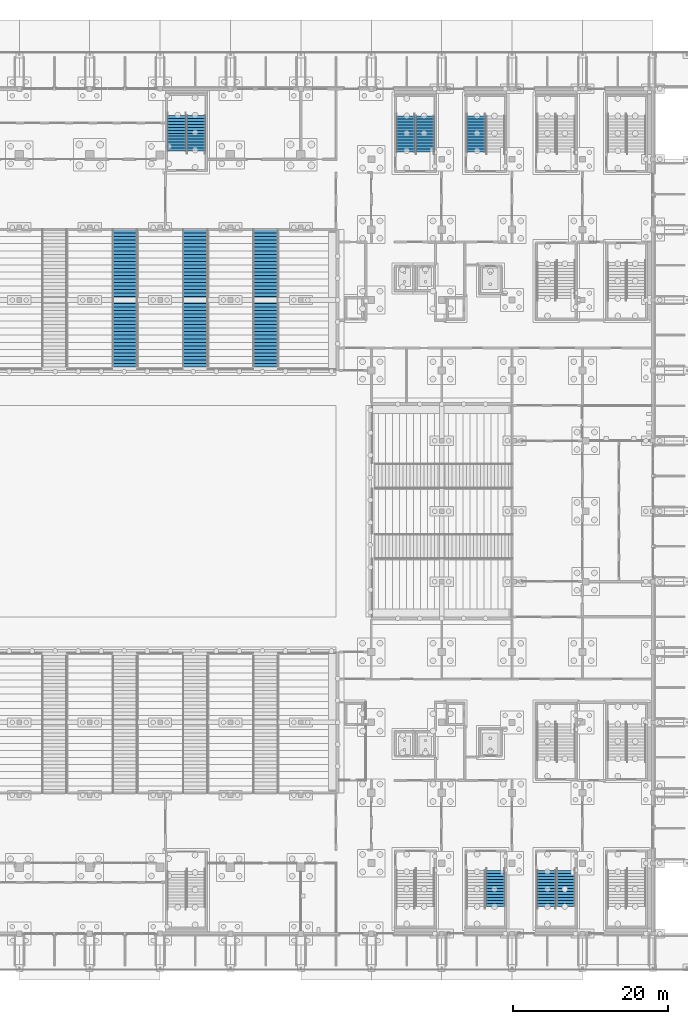
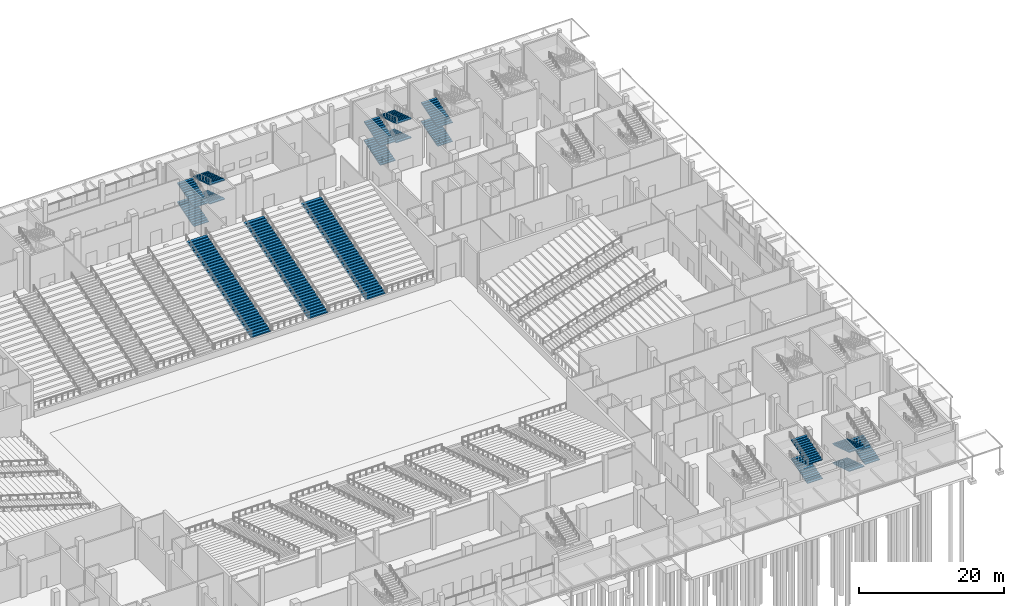
# One storey, part 92 of 129: 18 stair flights, 8 elements without a shape of their own.
"""IFC4 building model written with IfcOpenShell, lengths in metres."""

from ifc_helpers import new_model, si_unit, direction, frame, origin, place, context, subcontext, project, spatial, polyline, outline, extrude, material, type_object, element, aggregate, save


model = new_model("IFC4")

# Units and contexts
model_context = context("Model", 3, precision=1e-05, world=origin(), true_north=direction((0.0, 1.0)))
body_context = subcontext(model_context, "Body", "Model", "MODEL_VIEW")
ifc_project = project(units=[si_unit("LENGTHUNIT", "METRE"), si_unit("AREAUNIT", "SQUARE_METRE"), si_unit("VOLUMEUNIT", "CUBIC_METRE"), si_unit("PLANEANGLEUNIT", "RADIAN"), si_unit("MASSUNIT", "GRAM", prefix="KILO")], contexts=[model_context])

# Site, building, storey
site_placement = place(None, origin())
site = spatial("IfcSite", under=ifc_project, at=site_placement, CompositionType="ELEMENT")
building_placement = place(site_placement, origin())
building = spatial("IfcBuilding", under=site, at=building_placement, Name="Shirokan Park Arena", CompositionType="ELEMENT")
storey_placement = place(building_placement, origin())
storey = spatial("IfcBuildingStorey", under=building, at=storey_placement, Name="L00", CompositionType="ELEMENT", Elevation=0.0)

# Stair, stair flights
ifc_material = material(Name="Concrete C30 precast", Category="concrete")
stair_type_1 = type_object("IfcStairType", Name="Stair 52 risers 122 x 385 2400 wide", PredefinedType="DOUBLE_RETURN_STAIR", material=ifc_material)
stair_1_placement = place(storey_placement, origin())
stair_1 = element("IfcStair", 1, at=stair_1_placement, inside=storey, type_object=stair_type_1, Name="Exit Stair 2.B L00 to L01", PredefinedType="DOUBLE_RETURN_STAIR")
stair_flight_type_1 = type_object("IfcStairFlightType", Name="Stair flight 13 risers 122 x 385 2400 wide", PredefinedType="STRAIGHT", material=ifc_material)
stair_flight_1_placement = place(storey_placement, frame((131.85009765625, 8.14990234375, 0.0), z_axis=(0.0, 0.0, 1.0), x_axis=(0.0, -1.0, 0.0)))
stair_flight_1 = element("IfcStairFlight", 2, at=stair_flight_1_placement, type_object=stair_flight_type_1, Name="ST05.1 flight 1", NumberOfRisers=13, NumberOfTreads=12, PredefinedType="STRAIGHT", RiserHeight=0.1225, TreadLength=0.385, context=body_context, shape_type="SweptSolid", body=[
    extrude(outline(polyline([(0.0, 0.0), (0.0, 0.12255859375), (0.385009765625, 0.12255859375), (0.385009765625, 0.2451171875), (0.77001953125, 0.2451171875), (0.77001953125, 0.367431640625), (1.155029296875, 0.367431640625), (1.155029296875, 0.489990234375), (1.5400390625, 0.489990234375), (1.5400390625, 0.612548828125), (1.925048828125, 0.612548828125), (1.925048828125, 0.735107421875), (2.31005859375, 0.735107421875), (2.31005859375, 0.857421875), (2.695068359375, 0.857421875), (2.695068359375, 0.97998046875), (3.080078125, 0.97998046875), (3.080078125, 1.1025390625), (3.465087890625, 1.1025390625), (3.465087890625, 1.22509765625), (3.85009765625, 1.22509765625), (3.85009765625, 1.347412109375), (4.235107421875, 1.347412109375), (4.235107421875, 1.469970703125), (4.6201171875, 1.469970703125), (4.6201171875, 1.592529296875), (4.6201171875, 1.312744140625), (0.494384765625, 0.0), (0.0, 0.0)])), frame((0.0, 1.199951171875, 0.0), z_axis=(0.0, -1.0, 0.0), x_axis=(1.0, 0.0, 0.0)), (0.0, 0.0, 1.0), 2.39990234375),
])
stair_flight_2_placement = place(storey_placement, frame((134.35009765625, 3.530029296875, 1.592529296875), z_axis=(0.0, 0.0, 1.0), x_axis=(0.0, 1.0, 0.0)))
stair_flight_2 = element("IfcStairFlight", 3, at=stair_flight_2_placement, type_object=stair_flight_type_1, Name="ST05.1 flight 2", NumberOfRisers=13, NumberOfTreads=12, PredefinedType="STRAIGHT", RiserHeight=0.1225, TreadLength=0.385, context=body_context, shape_type="SweptSolid", body=[
    extrude(outline(polyline([(0.0, 0.0), (0.0, 0.12255859375), (0.385009765625, 0.12255859375), (0.385009765625, 0.2451171875), (0.77001953125, 0.2451171875), (0.77001953125, 0.367431640625), (1.155029296875, 0.367431640625), (1.155029296875, 0.489990234375), (1.5400390625, 0.489990234375), (1.5400390625, 0.612548828125), (1.925048828125, 0.612548828125), (1.925048828125, 0.735107421875), (2.31005859375, 0.735107421875), (2.31005859375, 0.857421875), (2.695068359375, 0.857421875), (2.695068359375, 0.97998046875), (3.080078125, 0.97998046875), (3.080078125, 1.1025390625), (3.465087890625, 1.1025390625), (3.465087890625, 1.22509765625), (3.85009765625, 1.22509765625), (3.85009765625, 1.347412109375), (4.235107421875, 1.347412109375), (4.235107421875, 1.469970703125), (4.6201171875, 1.469970703125), (4.6201171875, 1.592529296875), (4.6201171875, 1.312744140625), (0.494384765625, 0.0), (0.0, 0.0)])), frame((0.0, 1.199951171875, 0.0), z_axis=(0.0, -1.0, 0.0), x_axis=(1.0, 0.0, 0.0)), (0.0, 0.0, 1.0), 2.39990234375),
])
stair_flight_3_placement = place(storey_placement, frame((131.85009765625, 8.14990234375, 3.18505859375), z_axis=(0.0, 0.0, 1.0), x_axis=(0.0, -1.0, 0.0)))
stair_flight_3 = element("IfcStairFlight", 4, at=stair_flight_3_placement, type_object=stair_flight_type_1, Name="ST05.1 flight 3", NumberOfRisers=13, NumberOfTreads=12, PredefinedType="STRAIGHT", RiserHeight=0.1225, TreadLength=0.385, context=body_context, shape_type="SweptSolid", body=[
    extrude(outline(polyline([(0.0, 0.0), (0.0, 0.12255859375), (0.385009765625, 0.12255859375), (0.385009765625, 0.2451171875), (0.77001953125, 0.2451171875), (0.77001953125, 0.367431640625), (1.155029296875, 0.367431640625), (1.155029296875, 0.489990234375), (1.5400390625, 0.489990234375), (1.5400390625, 0.612548828125), (1.925048828125, 0.612548828125), (1.925048828125, 0.735107421875), (2.31005859375, 0.735107421875), (2.31005859375, 0.857421875), (2.695068359375, 0.857421875), (2.695068359375, 0.97998046875), (3.080078125, 0.97998046875), (3.080078125, 1.1025390625), (3.465087890625, 1.1025390625), (3.465087890625, 1.22509765625), (3.85009765625, 1.22509765625), (3.85009765625, 1.347412109375), (4.235107421875, 1.347412109375), (4.235107421875, 1.469970703125), (4.6201171875, 1.469970703125), (4.6201171875, 1.592529296875), (4.6201171875, 1.312744140625), (0.494384765625, 0.0), (0.0, 0.0)])), frame((0.0, 1.199951171875, 0.0), z_axis=(0.0, -1.0, 0.0), x_axis=(1.0, 0.0, 0.0)), (0.0, 0.0, 1.0), 2.39990234375),
])
aggregate(stair_1, [stair_flight_1, stair_flight_2, stair_flight_3])

stair_2_placement = place(storey_placement, origin())
stair_2 = element("IfcStair", 5, at=stair_2_placement, inside=storey, type_object=stair_type_1, Name="Exit Stair 2.C L00 to L01", PredefinedType="DOUBLE_RETURN_STAIR")
stair_flight_4_placement = place(storey_placement, frame((125.25, 3.530029296875, 1.592529296875), z_axis=(0.0, 0.0, 1.0), x_axis=(0.0, 1.0, 0.0)))
stair_flight_4 = element("IfcStairFlight", 6, at=stair_flight_4_placement, type_object=stair_flight_type_1, Name="ST06.1 flight 2", NumberOfRisers=13, NumberOfTreads=12, PredefinedType="STRAIGHT", RiserHeight=0.1225, TreadLength=0.385, context=body_context, shape_type="SweptSolid", body=[
    extrude(outline(polyline([(0.0, 0.0), (0.0, 0.12255859375), (0.385009765625, 0.12255859375), (0.385009765625, 0.2451171875), (0.77001953125, 0.2451171875), (0.77001953125, 0.367431640625), (1.155029296875, 0.367431640625), (1.155029296875, 0.489990234375), (1.5400390625, 0.489990234375), (1.5400390625, 0.612548828125), (1.925048828125, 0.612548828125), (1.925048828125, 0.735107421875), (2.31005859375, 0.735107421875), (2.31005859375, 0.857421875), (2.695068359375, 0.857421875), (2.695068359375, 0.97998046875), (3.080078125, 0.97998046875), (3.080078125, 1.1025390625), (3.465087890625, 1.1025390625), (3.465087890625, 1.22509765625), (3.85009765625, 1.22509765625), (3.85009765625, 1.347412109375), (4.235107421875, 1.347412109375), (4.235107421875, 1.469970703125), (4.6201171875, 1.469970703125), (4.6201171875, 1.592529296875), (4.6201171875, 1.312744140625), (0.494384765625, 0.0), (0.0, 0.0)])), frame((0.0, 1.199951171875, 0.0), z_axis=(0.0, -1.0, 0.0), x_axis=(1.0, 0.0, 0.0)), (0.0, 0.0, 1.0), 2.39990234375),
])
stair_flight_5_placement = place(storey_placement, frame((125.25, 3.530029296875, 4.777587890625), z_axis=(0.0, 0.0, 1.0), x_axis=(0.0, 1.0, 0.0)))
stair_flight_5 = element("IfcStairFlight", 7, at=stair_flight_5_placement, type_object=stair_flight_type_1, Name="ST06.1 flight 4", NumberOfRisers=13, NumberOfTreads=12, PredefinedType="STRAIGHT", RiserHeight=0.1225, TreadLength=0.385, context=body_context, shape_type="SweptSolid", body=[
    extrude(outline(polyline([(0.0, 0.0), (0.0, 0.12255859375), (0.385009765625, 0.12255859375), (0.385009765625, 0.2451171875), (0.77001953125, 0.2451171875), (0.77001953125, 0.367431640625), (1.155029296875, 0.367431640625), (1.155029296875, 0.489990234375), (1.5400390625, 0.489990234375), (1.5400390625, 0.612548828125), (1.925048828125, 0.612548828125), (1.925048828125, 0.735107421875), (2.31005859375, 0.735107421875), (2.31005859375, 0.857421875), (2.695068359375, 0.857421875), (2.695068359375, 0.97998046875), (3.080078125, 0.97998046875), (3.080078125, 1.1025390625), (3.465087890625, 1.1025390625), (3.465087890625, 1.22509765625), (3.85009765625, 1.22509765625), (3.85009765625, 1.347412109375), (4.235107421875, 1.347412109375), (4.235107421875, 1.469970703125), (4.6201171875, 1.469970703125), (4.6201171875, 1.592529296875), (4.6201171875, 1.312744140625), (0.494384765625, 0.0), (0.0, 0.0)])), frame((0.0, 1.199951171875, 0.0), z_axis=(0.0, -1.0, 0.0), x_axis=(1.0, 0.0, 0.0)), (0.0, 0.0, 1.0), 2.39990234375),
])
aggregate(stair_2, [stair_flight_4, stair_flight_5])

stair_3_placement = place(storey_placement, origin())
stair_3 = element("IfcStair", 8, at=stair_3_placement, inside=storey, type_object=stair_type_1, Name="Exit Stair 3.C L00 to L01", PredefinedType="DOUBLE_RETURN_STAIR")
stair_flight_6_placement = place(storey_placement, frame((122.75, 101.050048828125, 0.0), z_axis=(0.0, 0.0, 1.0), x_axis=(0.0, 1.0, 0.0)))
stair_flight_6 = element("IfcStairFlight", 9, at=stair_flight_6_placement, type_object=stair_flight_type_1, Name="ST18.1 flight 1", NumberOfRisers=13, NumberOfTreads=12, PredefinedType="STRAIGHT", RiserHeight=0.1225, TreadLength=0.385, context=body_context, shape_type="SweptSolid", body=[
    extrude(outline(polyline([(0.0, 0.0), (0.0, 0.12255859375), (0.385009765625, 0.12255859375), (0.385009765625, 0.2451171875), (0.77001953125, 0.2451171875), (0.77001953125, 0.367431640625), (1.155029296875, 0.367431640625), (1.155029296875, 0.489990234375), (1.5400390625, 0.489990234375), (1.5400390625, 0.612548828125), (1.925048828125, 0.612548828125), (1.925048828125, 0.735107421875), (2.31005859375, 0.735107421875), (2.31005859375, 0.857421875), (2.695068359375, 0.857421875), (2.695068359375, 0.97998046875), (3.080078125, 0.97998046875), (3.080078125, 1.1025390625), (3.465087890625, 1.1025390625), (3.465087890625, 1.22509765625), (3.85009765625, 1.22509765625), (3.85009765625, 1.347412109375), (4.235107421875, 1.347412109375), (4.235107421875, 1.469970703125), (4.6201171875, 1.469970703125), (4.6201171875, 1.592529296875), (4.6201171875, 1.312744140625), (0.494384765625, 0.0), (0.0, 0.0)])), frame((0.0, 1.199951171875, 0.0), z_axis=(0.0, -1.0, 0.0), x_axis=(1.0, 0.0, 0.0)), (0.0, 0.0, 1.0), 2.39990234375),
])
stair_flight_7_placement = place(storey_placement, frame((122.75, 101.050048828125, 3.18505859375), z_axis=(0.0, 0.0, 1.0), x_axis=(0.0, 1.0, 0.0)))
stair_flight_7 = element("IfcStairFlight", 10, at=stair_flight_7_placement, type_object=stair_flight_type_1, Name="ST18.1 flight 3", NumberOfRisers=13, NumberOfTreads=12, PredefinedType="STRAIGHT", RiserHeight=0.1225, TreadLength=0.385, context=body_context, shape_type="SweptSolid", body=[
    extrude(outline(polyline([(0.0, 0.0), (0.0, 0.12255859375), (0.385009765625, 0.12255859375), (0.385009765625, 0.2451171875), (0.77001953125, 0.2451171875), (0.77001953125, 0.367431640625), (1.155029296875, 0.367431640625), (1.155029296875, 0.489990234375), (1.5400390625, 0.489990234375), (1.5400390625, 0.612548828125), (1.925048828125, 0.612548828125), (1.925048828125, 0.735107421875), (2.31005859375, 0.735107421875), (2.31005859375, 0.857421875), (2.695068359375, 0.857421875), (2.695068359375, 0.97998046875), (3.080078125, 0.97998046875), (3.080078125, 1.1025390625), (3.465087890625, 1.1025390625), (3.465087890625, 1.22509765625), (3.85009765625, 1.22509765625), (3.85009765625, 1.347412109375), (4.235107421875, 1.347412109375), (4.235107421875, 1.469970703125), (4.6201171875, 1.469970703125), (4.6201171875, 1.592529296875), (4.6201171875, 1.312744140625), (0.494384765625, 0.0), (0.0, 0.0)])), frame((0.0, 1.199951171875, 0.0), z_axis=(0.0, -1.0, 0.0), x_axis=(1.0, 0.0, 0.0)), (0.0, 0.0, 1.0), 2.39990234375),
])
aggregate(stair_3, [stair_flight_6, stair_flight_7])

stair_4_placement = place(storey_placement, origin())
stair_4 = element("IfcStair", 11, at=stair_4_placement, inside=storey, type_object=stair_type_1, Name="Exit Stair 3.D L00 to L01", PredefinedType="DOUBLE_RETURN_STAIR")
stair_flight_8_placement = place(storey_placement, frame((113.64990234375, 101.050048828125, 0.0), z_axis=(0.0, 0.0, 1.0), x_axis=(0.0, 1.0, 0.0)))
stair_flight_8 = element("IfcStairFlight", 12, at=stair_flight_8_placement, type_object=stair_flight_type_1, Name="ST19.1 flight 1", NumberOfRisers=13, NumberOfTreads=12, PredefinedType="STRAIGHT", RiserHeight=0.1225, TreadLength=0.385, context=body_context, shape_type="SweptSolid", body=[
    extrude(outline(polyline([(0.0, 0.0), (0.0, 0.12255859375), (0.385009765625, 0.12255859375), (0.385009765625, 0.2451171875), (0.77001953125, 0.2451171875), (0.77001953125, 0.367431640625), (1.155029296875, 0.367431640625), (1.155029296875, 0.489990234375), (1.5400390625, 0.489990234375), (1.5400390625, 0.612548828125), (1.925048828125, 0.612548828125), (1.925048828125, 0.735107421875), (2.31005859375, 0.735107421875), (2.31005859375, 0.857421875), (2.695068359375, 0.857421875), (2.695068359375, 0.97998046875), (3.080078125, 0.97998046875), (3.080078125, 1.1025390625), (3.465087890625, 1.1025390625), (3.465087890625, 1.22509765625), (3.85009765625, 1.22509765625), (3.85009765625, 1.347412109375), (4.235107421875, 1.347412109375), (4.235107421875, 1.469970703125), (4.6201171875, 1.469970703125), (4.6201171875, 1.592529296875), (4.6201171875, 1.312744140625), (0.494384765625, 0.0), (0.0, 0.0)])), frame((0.0, 1.199951171875, 0.0), z_axis=(0.0, -1.0, 0.0), x_axis=(1.0, 0.0, 0.0)), (0.0, 0.0, 1.0), 2.39990234375),
])
stair_flight_9_placement = place(storey_placement, frame((116.14990234375, 105.669921875, 1.592529296875), z_axis=(0.0, 0.0, 1.0), x_axis=(0.0, -1.0, 0.0)))
stair_flight_9 = element("IfcStairFlight", 13, at=stair_flight_9_placement, type_object=stair_flight_type_1, Name="ST19.1 flight 2", NumberOfRisers=13, NumberOfTreads=12, PredefinedType="STRAIGHT", RiserHeight=0.1225, TreadLength=0.385, context=body_context, shape_type="SweptSolid", body=[
    extrude(outline(polyline([(0.0, 0.0), (0.0, 0.12255859375), (0.385009765625, 0.12255859375), (0.385009765625, 0.2451171875), (0.77001953125, 0.2451171875), (0.77001953125, 0.367431640625), (1.155029296875, 0.367431640625), (1.155029296875, 0.489990234375), (1.5400390625, 0.489990234375), (1.5400390625, 0.612548828125), (1.925048828125, 0.612548828125), (1.925048828125, 0.735107421875), (2.31005859375, 0.735107421875), (2.31005859375, 0.857421875), (2.695068359375, 0.857421875), (2.695068359375, 0.97998046875), (3.080078125, 0.97998046875), (3.080078125, 1.1025390625), (3.465087890625, 1.1025390625), (3.465087890625, 1.22509765625), (3.85009765625, 1.22509765625), (3.85009765625, 1.347412109375), (4.235107421875, 1.347412109375), (4.235107421875, 1.469970703125), (4.6201171875, 1.469970703125), (4.6201171875, 1.592529296875), (4.6201171875, 1.312744140625), (0.494384765625, 0.0), (0.0, 0.0)])), frame((0.0, 1.199951171875, 0.0), z_axis=(0.0, -1.0, 0.0), x_axis=(1.0, 0.0, 0.0)), (0.0, 0.0, 1.0), 2.39990234375),
])
stair_flight_10_placement = place(storey_placement, frame((113.64990234375, 101.050048828125, 3.18505859375), z_axis=(0.0, 0.0, 1.0), x_axis=(0.0, 1.0, 0.0)))
stair_flight_10 = element("IfcStairFlight", 14, at=stair_flight_10_placement, type_object=stair_flight_type_1, Name="ST19.1 flight 3", NumberOfRisers=13, NumberOfTreads=12, PredefinedType="STRAIGHT", RiserHeight=0.1225, TreadLength=0.385, context=body_context, shape_type="SweptSolid", body=[
    extrude(outline(polyline([(0.0, 0.0), (0.0, 0.12255859375), (0.385009765625, 0.12255859375), (0.385009765625, 0.2451171875), (0.77001953125, 0.2451171875), (0.77001953125, 0.367431640625), (1.155029296875, 0.367431640625), (1.155029296875, 0.489990234375), (1.5400390625, 0.489990234375), (1.5400390625, 0.612548828125), (1.925048828125, 0.612548828125), (1.925048828125, 0.735107421875), (2.31005859375, 0.735107421875), (2.31005859375, 0.857421875), (2.695068359375, 0.857421875), (2.695068359375, 0.97998046875), (3.080078125, 0.97998046875), (3.080078125, 1.1025390625), (3.465087890625, 1.1025390625), (3.465087890625, 1.22509765625), (3.85009765625, 1.22509765625), (3.85009765625, 1.347412109375), (4.235107421875, 1.347412109375), (4.235107421875, 1.469970703125), (4.6201171875, 1.469970703125), (4.6201171875, 1.592529296875), (4.6201171875, 1.312744140625), (0.494384765625, 0.0), (0.0, 0.0)])), frame((0.0, 1.199951171875, 0.0), z_axis=(0.0, -1.0, 0.0), x_axis=(1.0, 0.0, 0.0)), (0.0, 0.0, 1.0), 2.39990234375),
])
stair_flight_11_placement = place(storey_placement, frame((116.14990234375, 105.669921875, 4.777587890625), z_axis=(0.0, 0.0, 1.0), x_axis=(0.0, -1.0, 0.0)))
stair_flight_11 = element("IfcStairFlight", 15, at=stair_flight_11_placement, type_object=stair_flight_type_1, Name="ST19.1 flight 4", NumberOfRisers=13, NumberOfTreads=12, PredefinedType="STRAIGHT", RiserHeight=0.1225, TreadLength=0.385, context=body_context, shape_type="SweptSolid", body=[
    extrude(outline(polyline([(0.0, 0.0), (0.0, 0.12255859375), (0.385009765625, 0.12255859375), (0.385009765625, 0.2451171875), (0.77001953125, 0.2451171875), (0.77001953125, 0.367431640625), (1.155029296875, 0.367431640625), (1.155029296875, 0.489990234375), (1.5400390625, 0.489990234375), (1.5400390625, 0.612548828125), (1.925048828125, 0.612548828125), (1.925048828125, 0.735107421875), (2.31005859375, 0.735107421875), (2.31005859375, 0.857421875), (2.695068359375, 0.857421875), (2.695068359375, 0.97998046875), (3.080078125, 0.97998046875), (3.080078125, 1.1025390625), (3.465087890625, 1.1025390625), (3.465087890625, 1.22509765625), (3.85009765625, 1.22509765625), (3.85009765625, 1.347412109375), (4.235107421875, 1.347412109375), (4.235107421875, 1.469970703125), (4.6201171875, 1.469970703125), (4.6201171875, 1.592529296875), (4.6201171875, 1.312744140625), (0.494384765625, 0.0), (0.0, 0.0)])), frame((0.0, 1.199951171875, 0.0), z_axis=(0.0, -1.0, 0.0), x_axis=(1.0, 0.0, 0.0)), (0.0, 0.0, 1.0), 2.39990234375),
])
aggregate(stair_4, [stair_flight_8, stair_flight_9, stair_flight_10, stair_flight_11])

stair_5_placement = place(storey_placement, origin())
stair_5 = element("IfcStair", 16, at=stair_5_placement, inside=storey, type_object=stair_type_1, Name="Entrance Stair E4.2 L00 to L01", PredefinedType="DOUBLE_RETURN_STAIR")
stair_flight_12_placement = place(storey_placement, frame((84.050048828125, 101.14990234375, 0.0), z_axis=(0.0, 0.0, 1.0), x_axis=(0.0, 1.0, 0.0)))
stair_flight_12 = element("IfcStairFlight", 17, at=stair_flight_12_placement, type_object=stair_flight_type_1, Name="ST23.1 flight 1", NumberOfRisers=13, NumberOfTreads=12, PredefinedType="STRAIGHT", RiserHeight=0.1225, TreadLength=0.385, context=body_context, shape_type="SweptSolid", body=[
    extrude(outline(polyline([(0.0, 0.0), (0.0, 0.12255859375), (0.385009765625, 0.12255859375), (0.385009765625, 0.2451171875), (0.77001953125, 0.2451171875), (0.77001953125, 0.367431640625), (1.155029296875, 0.367431640625), (1.155029296875, 0.489990234375), (1.5400390625, 0.489990234375), (1.5400390625, 0.612548828125), (1.925048828125, 0.612548828125), (1.925048828125, 0.735107421875), (2.31005859375, 0.735107421875), (2.31005859375, 0.857421875), (2.695068359375, 0.857421875), (2.695068359375, 0.97998046875), (3.080078125, 0.97998046875), (3.080078125, 1.1025390625), (3.465087890625, 1.1025390625), (3.465087890625, 1.22509765625), (3.85009765625, 1.22509765625), (3.85009765625, 1.347412109375), (4.235107421875, 1.347412109375), (4.235107421875, 1.469970703125), (4.6201171875, 1.469970703125), (4.6201171875, 1.592529296875), (4.6201171875, 1.312744140625), (0.494384765625, 0.0), (0.0, 0.0)])), frame((0.0, 1.199951171875, 0.0), z_axis=(0.0, -1.0, 0.0), x_axis=(1.0, 0.0, 0.0)), (0.0, 0.0, 1.0), 2.39990234375),
])
stair_flight_13_placement = place(storey_placement, frame((86.550048828125, 105.77001953125, 1.592529296875), z_axis=(0.0, 0.0, 1.0), x_axis=(0.0, -1.0, 0.0)))
stair_flight_13 = element("IfcStairFlight", 18, at=stair_flight_13_placement, type_object=stair_flight_type_1, Name="ST23.1 flight 2", NumberOfRisers=13, NumberOfTreads=12, PredefinedType="STRAIGHT", RiserHeight=0.1225, TreadLength=0.385, context=body_context, shape_type="SweptSolid", body=[
    extrude(outline(polyline([(0.0, 0.0), (0.0, 0.12255859375), (0.385009765625, 0.12255859375), (0.385009765625, 0.2451171875), (0.77001953125, 0.2451171875), (0.77001953125, 0.367431640625), (1.155029296875, 0.367431640625), (1.155029296875, 0.489990234375), (1.5400390625, 0.489990234375), (1.5400390625, 0.612548828125), (1.925048828125, 0.612548828125), (1.925048828125, 0.735107421875), (2.31005859375, 0.735107421875), (2.31005859375, 0.857421875), (2.695068359375, 0.857421875), (2.695068359375, 0.97998046875), (3.080078125, 0.97998046875), (3.080078125, 1.1025390625), (3.465087890625, 1.1025390625), (3.465087890625, 1.22509765625), (3.85009765625, 1.22509765625), (3.85009765625, 1.347412109375), (4.235107421875, 1.347412109375), (4.235107421875, 1.469970703125), (4.6201171875, 1.469970703125), (4.6201171875, 1.592529296875), (4.6201171875, 1.312744140625), (0.494384765625, 0.0), (0.0, 0.0)])), frame((0.0, 1.199951171875, 0.0), z_axis=(0.0, -1.0, 0.0), x_axis=(1.0, 0.0, 0.0)), (0.0, 0.0, 1.0), 2.39990234375),
])
stair_flight_14_placement = place(storey_placement, frame((84.050048828125, 101.14990234375, 3.18505859375), z_axis=(0.0, 0.0, 1.0), x_axis=(0.0, 1.0, 0.0)))
stair_flight_14 = element("IfcStairFlight", 19, at=stair_flight_14_placement, type_object=stair_flight_type_1, Name="ST23.1 flight 3", NumberOfRisers=13, NumberOfTreads=12, PredefinedType="STRAIGHT", RiserHeight=0.1225, TreadLength=0.385, context=body_context, shape_type="SweptSolid", body=[
    extrude(outline(polyline([(0.0, 0.0), (0.0, 0.12255859375), (0.385009765625, 0.12255859375), (0.385009765625, 0.2451171875), (0.77001953125, 0.2451171875), (0.77001953125, 0.367431640625), (1.155029296875, 0.367431640625), (1.155029296875, 0.489990234375), (1.5400390625, 0.489990234375), (1.5400390625, 0.612548828125), (1.925048828125, 0.612548828125), (1.925048828125, 0.735107421875), (2.31005859375, 0.735107421875), (2.31005859375, 0.857421875), (2.695068359375, 0.857421875), (2.695068359375, 0.97998046875), (3.080078125, 0.97998046875), (3.080078125, 1.1025390625), (3.465087890625, 1.1025390625), (3.465087890625, 1.22509765625), (3.85009765625, 1.22509765625), (3.85009765625, 1.347412109375), (4.235107421875, 1.347412109375), (4.235107421875, 1.469970703125), (4.6201171875, 1.469970703125), (4.6201171875, 1.592529296875), (4.6201171875, 1.312744140625), (0.494384765625, 0.0), (0.0, 0.0)])), frame((0.0, 1.199951171875, 0.0), z_axis=(0.0, -1.0, 0.0), x_axis=(1.0, 0.0, 0.0)), (0.0, 0.0, 1.0), 2.39990234375),
])
stair_flight_15_placement = place(storey_placement, frame((86.550048828125, 105.77001953125, 4.777587890625), z_axis=(0.0, 0.0, 1.0), x_axis=(0.0, -1.0, 0.0)))
stair_flight_15 = element("IfcStairFlight", 20, at=stair_flight_15_placement, type_object=stair_flight_type_1, Name="ST23.1 flight 4", NumberOfRisers=13, NumberOfTreads=12, PredefinedType="STRAIGHT", RiserHeight=0.1225, TreadLength=0.385, context=body_context, shape_type="SweptSolid", body=[
    extrude(outline(polyline([(0.0, 0.0), (0.0, 0.12255859375), (0.385009765625, 0.12255859375), (0.385009765625, 0.2451171875), (0.77001953125, 0.2451171875), (0.77001953125, 0.367431640625), (1.155029296875, 0.367431640625), (1.155029296875, 0.489990234375), (1.5400390625, 0.489990234375), (1.5400390625, 0.612548828125), (1.925048828125, 0.612548828125), (1.925048828125, 0.735107421875), (2.31005859375, 0.735107421875), (2.31005859375, 0.857421875), (2.695068359375, 0.857421875), (2.695068359375, 0.97998046875), (3.080078125, 0.97998046875), (3.080078125, 1.1025390625), (3.465087890625, 1.1025390625), (3.465087890625, 1.22509765625), (3.85009765625, 1.22509765625), (3.85009765625, 1.347412109375), (4.235107421875, 1.347412109375), (4.235107421875, 1.469970703125), (4.6201171875, 1.469970703125), (4.6201171875, 1.592529296875), (4.6201171875, 1.312744140625), (0.494384765625, 0.0), (0.0, 0.0)])), frame((0.0, 1.199951171875, 0.0), z_axis=(0.0, -1.0, 0.0), x_axis=(1.0, 0.0, 0.0)), (0.0, 0.0, 1.0), 2.39990234375),
])
aggregate(stair_5, [stair_flight_12, stair_flight_13, stair_flight_14, stair_flight_15])

# Stair, stair flight
stair_type_2 = type_object("IfcStairType", Name="Stair 40 risers 140 x 455 3200 wide", PredefinedType="STRAIGHT_RUN_STAIR", material=ifc_material)
stair_6_placement = place(storey_placement, origin())
stair_6 = element("IfcStair", 21, at=stair_6_placement, inside=storey, type_object=stair_type_2, Name="Vomitory stair N4 lower", PredefinedType="STRAIGHT_RUN_STAIR")
stair_flight_type_2 = type_object("IfcStairFlightType", Name="Stair flight 40 risers 140 x 455 3200 wide", PredefinedType="STRAIGHT", material=ifc_material)
stair_flight_16_placement = place(storey_placement, frame((77.35009765625, 73.2548828125, 0.77001953125), z_axis=(0.0, 0.0, 1.0), x_axis=(0.0, 1.0, 0.0)))
stair_flight_16 = element("IfcStairFlight", 22, at=stair_flight_16_placement, type_object=stair_flight_type_2, Name="VS-N4L flight 1", NumberOfRisers=40, NumberOfTreads=39, PredefinedType="STRAIGHT", RiserHeight=0.14, TreadLength=0.455, context=body_context, shape_type="SweptSolid", body=[
    extrude(outline(polyline([(0.0, -0.0693359375), (0.0, 0.0), (0.0, 0.139892578125), (0.455078125, 0.139892578125), (0.455078125, 0.280029296875), (0.909912109375, 0.280029296875), (0.909912109375, 0.419921875), (1.364990234375, 0.419921875), (1.364990234375, 0.56005859375), (1.820068359375, 0.56005859375), (1.820068359375, 0.699951171875), (2.27490234375, 0.699951171875), (2.27490234375, 0.840087890625), (2.72998046875, 0.840087890625), (2.72998046875, 0.97998046875), (3.18505859375, 0.97998046875), (3.18505859375, 1.1201171875), (3.639892578125, 1.1201171875), (3.639892578125, 1.260009765625), (4.094970703125, 1.260009765625), (4.094970703125, 1.39990234375), (4.550048828125, 1.39990234375), (4.550048828125, 1.5400390625), (5.0048828125, 1.5400390625), (5.0048828125, 1.679931640625), (5.4599609375, 1.679931640625), (5.4599609375, 1.820068359375), (5.9150390625, 1.820068359375), (5.9150390625, 1.9599609375), (6.3701171875, 1.9599609375), (6.3701171875, 2.10009765625), (6.824951171875, 2.10009765625), (6.824951171875, 2.239990234375), (7.280029296875, 2.239990234375), (7.280029296875, 2.3798828125), (7.735107421875, 2.3798828125), (7.735107421875, 2.52001953125), (8.18994140625, 2.52001953125), (8.18994140625, 2.659912109375), (8.64501953125, 2.659912109375), (8.64501953125, 2.800048828125), (9.10009765625, 2.800048828125), (9.10009765625, 2.93994140625), (9.554931640625, 2.93994140625), (9.554931640625, 3.080078125), (10.010009765625, 3.080078125), (10.010009765625, 3.219970703125), (10.465087890625, 3.219970703125), (10.465087890625, 3.360107421875), (10.919921875, 3.360107421875), (10.919921875, 3.5), (11.375, 3.5), (11.375, 3.639892578125), (11.830078125, 3.639892578125), (11.830078125, 3.780029296875), (12.284912109375, 3.780029296875), (12.284912109375, 3.919921875), (12.739990234375, 3.919921875), (12.739990234375, 4.06005859375), (13.195068359375, 4.06005859375), (13.195068359375, 4.199951171875), (13.64990234375, 4.199951171875), (13.64990234375, 4.340087890625), (14.10498046875, 4.340087890625), (14.10498046875, 4.47998046875), (14.56005859375, 4.47998046875), (14.56005859375, 4.6201171875), (15.014892578125, 4.6201171875), (15.014892578125, 4.760009765625), (15.469970703125, 4.760009765625), (15.469970703125, 4.89990234375), (15.925048828125, 4.89990234375), (15.925048828125, 5.0400390625), (16.3798828125, 5.0400390625), (16.3798828125, 5.179931640625), (16.8349609375, 5.179931640625), (16.8349609375, 5.320068359375), (17.2900390625, 5.320068359375), (17.2900390625, 5.4599609375), (17.7451171875, 5.4599609375), (17.7451171875, 5.60009765625), (17.7451171875, 5.25), (17.544921875, 5.25), (17.544921875, 5.329345703125), (0.0, -0.0693359375)])), frame((0.0, 1.60009765625, 0.0), z_axis=(0.0, -1.0, 0.0), x_axis=(1.0, 0.0, 0.0)), (0.0, 0.0, 1.0), 3.199951171875),
])
aggregate(stair_6, [stair_flight_16])

stair_7_placement = place(storey_placement, origin())
stair_7 = element("IfcStair", 23, at=stair_7_placement, inside=storey, type_object=stair_type_2, Name="Vomitory stair N5 lower", PredefinedType="STRAIGHT_RUN_STAIR")
stair_flight_17_placement = place(storey_placement, frame((86.449951171875, 73.2548828125, 0.77001953125), z_axis=(0.0, 0.0, 1.0), x_axis=(0.0, 1.0, 0.0)))
stair_flight_17 = element("IfcStairFlight", 24, at=stair_flight_17_placement, type_object=stair_flight_type_2, Name="VS-N5L flight 1", NumberOfRisers=40, NumberOfTreads=39, PredefinedType="STRAIGHT", RiserHeight=0.14, TreadLength=0.455, context=body_context, shape_type="SweptSolid", body=[
    extrude(outline(polyline([(0.0, -0.0693359375), (0.0, 0.0), (0.0, 0.139892578125), (0.455078125, 0.139892578125), (0.455078125, 0.280029296875), (0.909912109375, 0.280029296875), (0.909912109375, 0.419921875), (1.364990234375, 0.419921875), (1.364990234375, 0.56005859375), (1.820068359375, 0.56005859375), (1.820068359375, 0.699951171875), (2.27490234375, 0.699951171875), (2.27490234375, 0.840087890625), (2.72998046875, 0.840087890625), (2.72998046875, 0.97998046875), (3.18505859375, 0.97998046875), (3.18505859375, 1.1201171875), (3.639892578125, 1.1201171875), (3.639892578125, 1.260009765625), (4.094970703125, 1.260009765625), (4.094970703125, 1.39990234375), (4.550048828125, 1.39990234375), (4.550048828125, 1.5400390625), (5.0048828125, 1.5400390625), (5.0048828125, 1.679931640625), (5.4599609375, 1.679931640625), (5.4599609375, 1.820068359375), (5.9150390625, 1.820068359375), (5.9150390625, 1.9599609375), (6.3701171875, 1.9599609375), (6.3701171875, 2.10009765625), (6.824951171875, 2.10009765625), (6.824951171875, 2.239990234375), (7.280029296875, 2.239990234375), (7.280029296875, 2.3798828125), (7.735107421875, 2.3798828125), (7.735107421875, 2.52001953125), (8.18994140625, 2.52001953125), (8.18994140625, 2.659912109375), (8.64501953125, 2.659912109375), (8.64501953125, 2.800048828125), (9.10009765625, 2.800048828125), (9.10009765625, 2.93994140625), (9.554931640625, 2.93994140625), (9.554931640625, 3.080078125), (10.010009765625, 3.080078125), (10.010009765625, 3.219970703125), (10.465087890625, 3.219970703125), (10.465087890625, 3.360107421875), (10.919921875, 3.360107421875), (10.919921875, 3.5), (11.375, 3.5), (11.375, 3.639892578125), (11.830078125, 3.639892578125), (11.830078125, 3.780029296875), (12.284912109375, 3.780029296875), (12.284912109375, 3.919921875), (12.739990234375, 3.919921875), (12.739990234375, 4.06005859375), (13.195068359375, 4.06005859375), (13.195068359375, 4.199951171875), (13.64990234375, 4.199951171875), (13.64990234375, 4.340087890625), (14.10498046875, 4.340087890625), (14.10498046875, 4.47998046875), (14.56005859375, 4.47998046875), (14.56005859375, 4.6201171875), (15.014892578125, 4.6201171875), (15.014892578125, 4.760009765625), (15.469970703125, 4.760009765625), (15.469970703125, 4.89990234375), (15.925048828125, 4.89990234375), (15.925048828125, 5.0400390625), (16.3798828125, 5.0400390625), (16.3798828125, 5.179931640625), (16.8349609375, 5.179931640625), (16.8349609375, 5.320068359375), (17.2900390625, 5.320068359375), (17.2900390625, 5.4599609375), (17.7451171875, 5.4599609375), (17.7451171875, 5.60009765625), (17.7451171875, 5.25), (17.544921875, 5.25), (17.544921875, 5.329345703125), (0.0, -0.0693359375)])), frame((0.0, 1.60009765625, 0.0), z_axis=(0.0, -1.0, 0.0), x_axis=(1.0, 0.0, 0.0)), (0.0, 0.0, 1.0), 3.199951171875),
])
aggregate(stair_7, [stair_flight_17])

stair_8_placement = place(storey_placement, origin())
stair_8 = element("IfcStair", 25, at=stair_8_placement, inside=storey, type_object=stair_type_2, Name="Vomitory stair N6 lower", PredefinedType="STRAIGHT_RUN_STAIR")
stair_flight_18_placement = place(storey_placement, frame((95.550048828125, 73.2548828125, 0.77001953125), z_axis=(0.0, 0.0, 1.0), x_axis=(0.0, 1.0, 0.0)))
stair_flight_18 = element("IfcStairFlight", 26, at=stair_flight_18_placement, type_object=stair_flight_type_2, Name="VS-N6L flight 1", NumberOfRisers=40, NumberOfTreads=39, PredefinedType="STRAIGHT", RiserHeight=0.14, TreadLength=0.455, context=body_context, shape_type="SweptSolid", body=[
    extrude(outline(polyline([(0.0, -0.0693359375), (0.0, 0.0), (0.0, 0.139892578125), (0.455078125, 0.139892578125), (0.455078125, 0.280029296875), (0.909912109375, 0.280029296875), (0.909912109375, 0.419921875), (1.364990234375, 0.419921875), (1.364990234375, 0.56005859375), (1.820068359375, 0.56005859375), (1.820068359375, 0.699951171875), (2.27490234375, 0.699951171875), (2.27490234375, 0.840087890625), (2.72998046875, 0.840087890625), (2.72998046875, 0.97998046875), (3.18505859375, 0.97998046875), (3.18505859375, 1.1201171875), (3.639892578125, 1.1201171875), (3.639892578125, 1.260009765625), (4.094970703125, 1.260009765625), (4.094970703125, 1.39990234375), (4.550048828125, 1.39990234375), (4.550048828125, 1.5400390625), (5.0048828125, 1.5400390625), (5.0048828125, 1.679931640625), (5.4599609375, 1.679931640625), (5.4599609375, 1.820068359375), (5.9150390625, 1.820068359375), (5.9150390625, 1.9599609375), (6.3701171875, 1.9599609375), (6.3701171875, 2.10009765625), (6.824951171875, 2.10009765625), (6.824951171875, 2.239990234375), (7.280029296875, 2.239990234375), (7.280029296875, 2.3798828125), (7.735107421875, 2.3798828125), (7.735107421875, 2.52001953125), (8.18994140625, 2.52001953125), (8.18994140625, 2.659912109375), (8.64501953125, 2.659912109375), (8.64501953125, 2.800048828125), (9.10009765625, 2.800048828125), (9.10009765625, 2.93994140625), (9.554931640625, 2.93994140625), (9.554931640625, 3.080078125), (10.010009765625, 3.080078125), (10.010009765625, 3.219970703125), (10.465087890625, 3.219970703125), (10.465087890625, 3.360107421875), (10.919921875, 3.360107421875), (10.919921875, 3.5), (11.375, 3.5), (11.375, 3.639892578125), (11.830078125, 3.639892578125), (11.830078125, 3.780029296875), (12.284912109375, 3.780029296875), (12.284912109375, 3.919921875), (12.739990234375, 3.919921875), (12.739990234375, 4.06005859375), (13.195068359375, 4.06005859375), (13.195068359375, 4.199951171875), (13.64990234375, 4.199951171875), (13.64990234375, 4.340087890625), (14.10498046875, 4.340087890625), (14.10498046875, 4.47998046875), (14.56005859375, 4.47998046875), (14.56005859375, 4.6201171875), (15.014892578125, 4.6201171875), (15.014892578125, 4.760009765625), (15.469970703125, 4.760009765625), (15.469970703125, 4.89990234375), (15.925048828125, 4.89990234375), (15.925048828125, 5.0400390625), (16.3798828125, 5.0400390625), (16.3798828125, 5.179931640625), (16.8349609375, 5.179931640625), (16.8349609375, 5.320068359375), (17.2900390625, 5.320068359375), (17.2900390625, 5.4599609375), (17.7451171875, 5.4599609375), (17.7451171875, 5.60009765625), (17.7451171875, 5.25), (17.544921875, 5.25), (17.544921875, 5.329345703125), (0.0, -0.0693359375)])), frame((0.0, 1.60009765625, 0.0), z_axis=(0.0, -1.0, 0.0), x_axis=(1.0, 0.0, 0.0)), (0.0, 0.0, 1.0), 3.199951171875),
])
aggregate(stair_8, [stair_flight_18])

save(model, "model.ifc")
